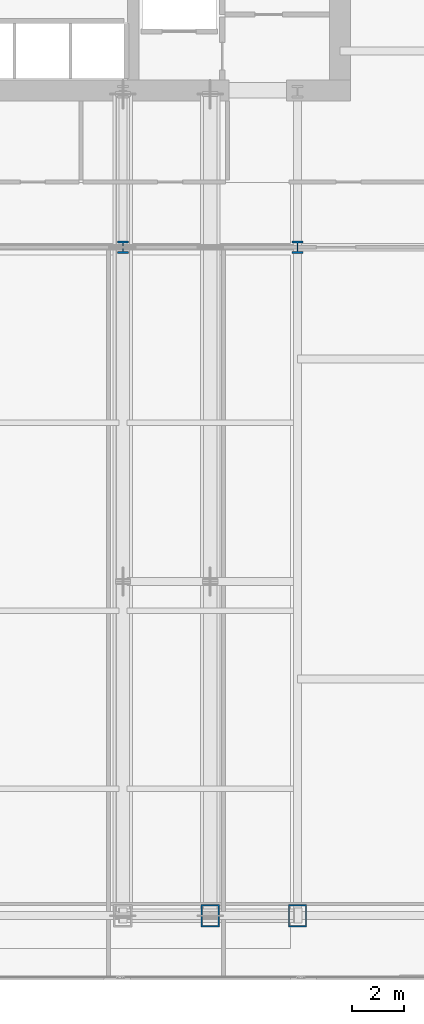
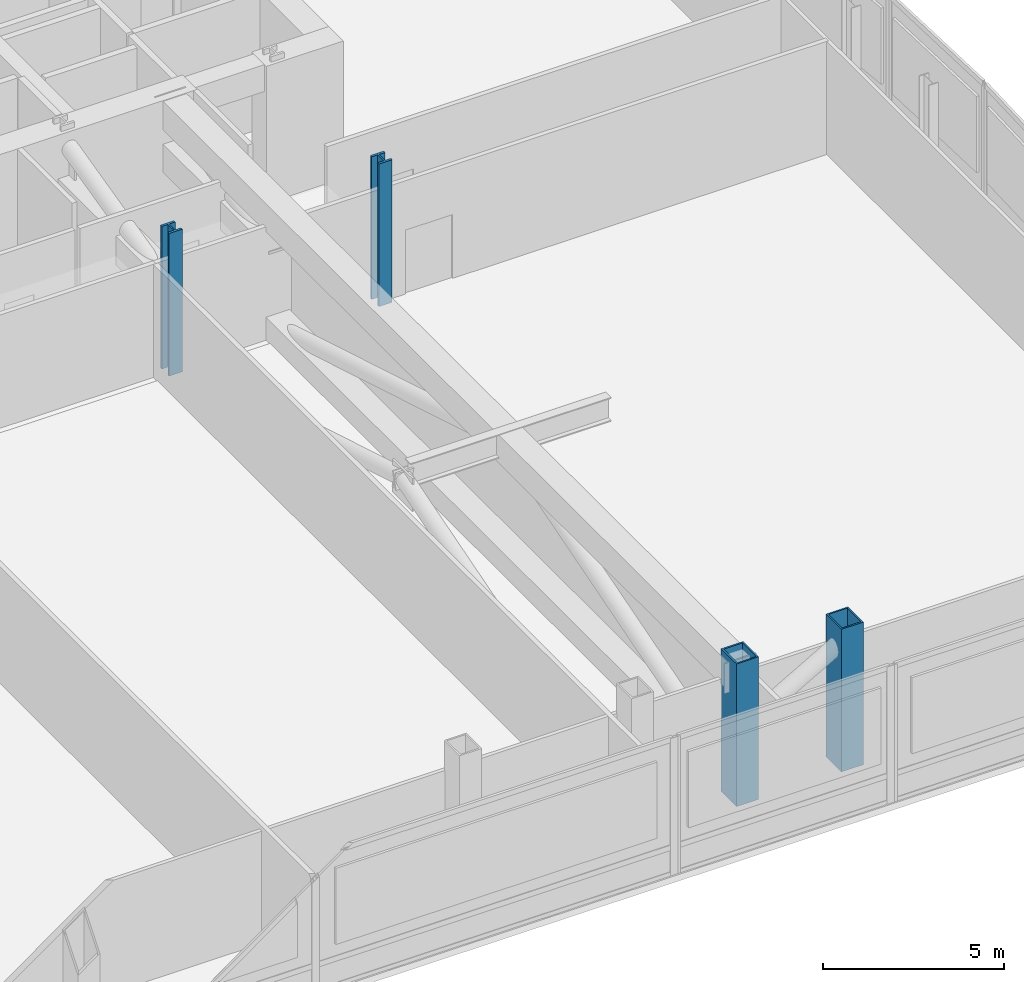
# One storey, part 2 of 32: 4 columns.
"""IFC4 building model written with IfcOpenShell, lengths in metres."""

from ifc_helpers import new_model, si_unit, direction, frame, origin, origin_2d, place, context, subcontext, project, spatial, hollow_rectangle, i_section, extrude, material, material_profile, profile_set, type_object, element, save


model = new_model("IFC4")

# Units and contexts
model_context = context("Model", 3, precision=1e-05, world=origin(), true_north=direction((0.0, 1.0)))
body_context = subcontext(model_context, "Body", "Model", "MODEL_VIEW")
ifc_project = project(units=[si_unit("LENGTHUNIT", "METRE"), si_unit("AREAUNIT", "SQUARE_METRE"), si_unit("VOLUMEUNIT", "CUBIC_METRE"), si_unit("PLANEANGLEUNIT", "RADIAN"), si_unit("MASSUNIT", "GRAM", prefix="KILO")], contexts=[model_context])

# Site, building, storey
site_placement = place(None, origin())
site = spatial("IfcSite", under=ifc_project, at=site_placement, CompositionType="ELEMENT")
building_placement = place(site_placement, origin())
building = spatial("IfcBuilding", under=site, at=building_placement, Name="Khoronbel Lancet Exchange", CompositionType="ELEMENT")
storey_placement = place(building_placement, frame((0.0, 0.0, 85.800048828125)))
storey = spatial("IfcBuildingStorey", under=building, at=storey_placement, Name="L20", CompositionType="ELEMENT", Elevation=85.800048828125)

# Columns
ifc_material = material(Name="Steel S460", Category="steel")
ifc_material_profile_1 = material_profile(ifc_material, hollow_rectangle(XDim=0.699951171875, YDim=0.85009765625, WallThickness=0.050048828125, at=origin_2d()), Name="BOX 850x700x50")
ifc_profile_set_1 = profile_set([ifc_material_profile_1], Name="Steel S460")
column_type_1 = type_object("IfcColumnType", Name="COL-EC2", PredefinedType="COLUMN", material=ifc_profile_set_1)
for number, where, z_axis, x_axis, name in (
    (1, (51.33740234375, 10.14990234375, 0.0), (0.0, 0.0, 1.0), (1.0, 0.0, 0.0), "Structural column SC-EM L20"),
    (2, (54.675048828125, 10.14990234375, 0.0), (0.0, 0.0, 1.0), (1.0, 0.0, 0.0), "Structural column SC-E2 L20"),
):
    element("IfcColumn", number, at=place(storey_placement, frame(where, z_axis=z_axis, x_axis=x_axis)), inside=storey, type_object=column_type_1, Name=name, PredefinedType="COLUMN", context=body_context, shape_type="SweptSolid", body=[
        extrude(hollow_rectangle(XDim=0.699951171875, YDim=0.85009765625, WallThickness=0.050048828125, at=origin_2d()), origin(), (0.0, 0.0, 1.0), 4.800048828125),
    ])
ifc_material_profile_2 = material_profile(ifc_material, i_section(OverallWidth=0.424072265625, OverallDepth=0.47412109375, WebThickness=0.047607421875, FlangeThickness=0.076904296875, at=origin_2d()), Name="HD 400x634")
ifc_profile_set_2 = profile_set([ifc_material_profile_2], Name="Steel S460")
column_type_2 = type_object("IfcColumnType", Name="COL-IC1", PredefinedType="COLUMN", material=ifc_profile_set_2)
for number, where, z_axis, x_axis, name in (
    (3, (48.0, 35.699951171875, 0.0), (0.0, 0.0, 1.0), (1.0, 0.0, 0.0), "Spine gravity column TC3 L20"),
    (4, (54.675048828125, 35.699951171875, 0.0), (0.0, 0.0, 1.0), (1.0, 0.0, 0.0), "Spine gravity column TC4 L20"),
):
    element("IfcColumn", number, at=place(storey_placement, frame(where, z_axis=z_axis, x_axis=x_axis)), inside=storey, type_object=column_type_2, Name=name, PredefinedType="COLUMN", context=body_context, shape_type="SweptSolid", body=[
        extrude(i_section(OverallWidth=0.424072265625, OverallDepth=0.47412109375, WebThickness=0.047607421875, FlangeThickness=0.076904296875, at=origin_2d()), origin(), (0.0, 0.0, 1.0), 4.800048828125),
    ])

save(model, "model.ifc")
